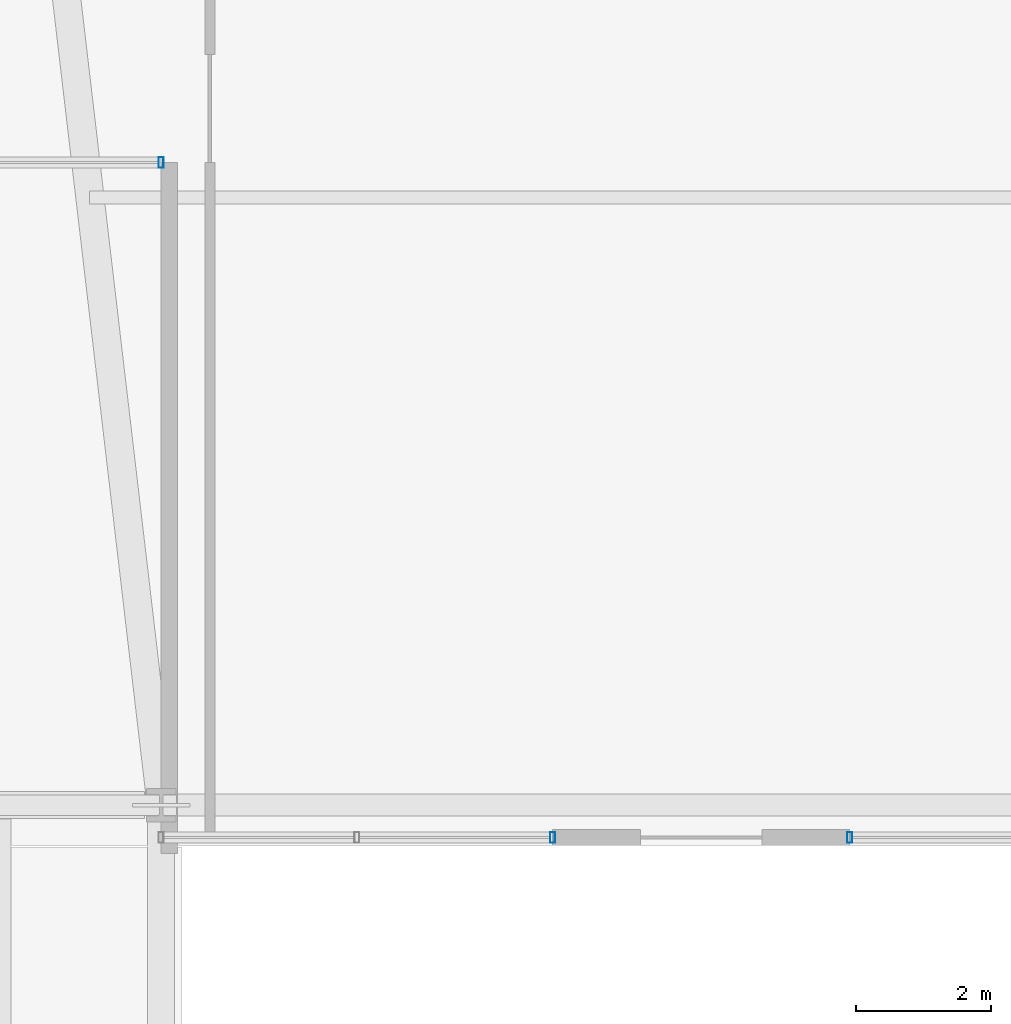
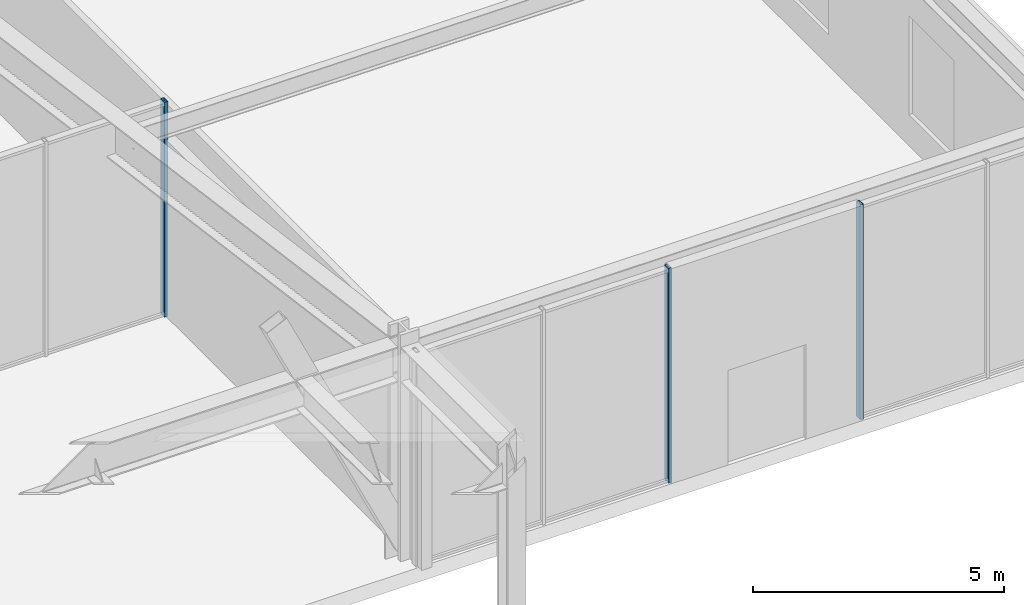
# One storey, part 12 of 24: 3 members, 3 elements without a shape of their own.
"""IFC4 building model written with IfcOpenShell, lengths in metres."""

from ifc_helpers import new_model, si_unit, direction, frame, origin, origin_2d, place, context, subcontext, project, spatial, hollow_rectangle, extrude, material, material_profile, profile_set, type_object, element, aggregate, save


model = new_model("IFC4")

# Units and contexts
model_context = context("Model", 3, precision=1e-05, world=origin(), true_north=direction((0.0, 1.0)))
body_context = subcontext(model_context, "Body", "Model", "MODEL_VIEW")
ifc_project = project(units=[si_unit("LENGTHUNIT", "METRE"), si_unit("AREAUNIT", "SQUARE_METRE"), si_unit("VOLUMEUNIT", "CUBIC_METRE"), si_unit("PLANEANGLEUNIT", "RADIAN"), si_unit("MASSUNIT", "GRAM", prefix="KILO")], contexts=[model_context])

# Site, building, storey
site_placement = place(None, origin())
site = spatial("IfcSite", under=ifc_project, at=site_placement, CompositionType="ELEMENT")
building_placement = place(site_placement, origin())
building = spatial("IfcBuilding", under=site, at=building_placement, Name="Kolvaren Belvedere", CompositionType="ELEMENT")
storey_placement = place(building_placement, origin())
storey = spatial("IfcBuildingStorey", under=building, at=storey_placement, Name="L01", CompositionType="ELEMENT", Elevation=0.0)

# Curtain wall, member
ifc_material_1 = material(Name="Anodised pale-metal aluminium AA 6063-T6", Category="aluminium")
curtain_wall_type = type_object("IfcCurtainWallType", Name="CW-POD-A", PredefinedType="NOTDEFINED", material=ifc_material_1)
curtain_wall_1_placement = place(storey_placement, origin())
curtain_wall_1 = element("IfcCurtainWall", 1, at=curtain_wall_1_placement, inside=storey, type_object=curtain_wall_type, Name="L01 Unitised Curtain Wall FCW-L01-PORT-E", PredefinedType="NOTDEFINED")
ifc_material_2 = material(Name="Anodised pale-metal aluminium AA 6063-T6", Category="aluminium")
ifc_material_profile = material_profile(ifc_material_2, hollow_rectangle(XDim=0.074951171875, YDim=0.159912109375, WallThickness=0.00439453125, at=origin_2d()), Name="ALU-MUL-160X75")
ifc_profile_set = profile_set([ifc_material_profile], Name="Anodised pale-metal aluminium AA 6063-T6")
member_type = type_object("IfcMemberType", Name="CW-MUL-160", PredefinedType="MULLION", material=ifc_profile_set)
member_1_placement = place(storey_placement, frame((12.0, -18.280029296875, 0.0), z_axis=(0.0, 0.0, 1.0), x_axis=(1.0, 0.0, 0.0)))
member_1 = element("IfcMember", 2, at=member_1_placement, type_object=member_type, Name="FCW-L01-PORT-E Unitised Mullion 1", PredefinedType="MULLION", context=body_context, shape_type="SweptSolid", body=[
    extrude(hollow_rectangle(XDim=0.074951171875, YDim=0.159912109375, WallThickness=0.00439453125, at=origin_2d()), origin(), (0.0, 0.0, 1.0), 5.219970703125),
])
aggregate(curtain_wall_1, [member_1])

curtain_wall_2_placement = place(storey_placement, origin())
curtain_wall_2 = element("IfcCurtainWall", 3, at=curtain_wall_2_placement, inside=storey, type_object=curtain_wall_type, Name="L01 Unitised Curtain Wall FCW-L01-SE1", PredefinedType="NOTDEFINED")
member_2_placement = place(storey_placement, frame((22.199951171875, -28.280029296875, 0.0), z_axis=(0.0, 0.0, 1.0), x_axis=(1.0, 0.0, 0.0)))
member_2 = element("IfcMember", 4, at=member_2_placement, type_object=member_type, Name="FCW-L01-SE1 Unitised Mullion 3", PredefinedType="MULLION", context=body_context, shape_type="SweptSolid", body=[
    extrude(hollow_rectangle(XDim=0.074951171875, YDim=0.159912109375, WallThickness=0.00439453125, at=origin_2d()), origin(), (0.0, 0.0, 1.0), 5.219970703125),
])
aggregate(curtain_wall_2, [member_2])

curtain_wall_3_placement = place(storey_placement, origin())
curtain_wall_3 = element("IfcCurtainWall", 5, at=curtain_wall_3_placement, inside=storey, type_object=curtain_wall_type, Name="L01 Unitised Curtain Wall FCW-L01-SE2", PredefinedType="NOTDEFINED")
member_3_placement = place(storey_placement, frame((17.800048828125, -28.280029296875, 0.0), z_axis=(0.0, 0.0, 1.0), x_axis=(1.0, 0.0, 0.0)))
member_3 = element("IfcMember", 6, at=member_3_placement, type_object=member_type, Name="FCW-L01-SE2 Unitised Mullion 1", PredefinedType="MULLION", context=body_context, shape_type="SweptSolid", body=[
    extrude(hollow_rectangle(XDim=0.074951171875, YDim=0.159912109375, WallThickness=0.00439453125, at=origin_2d()), origin(), (0.0, 0.0, 1.0), 5.219970703125),
])
aggregate(curtain_wall_3, [member_3])

save(model, "model.ifc")
